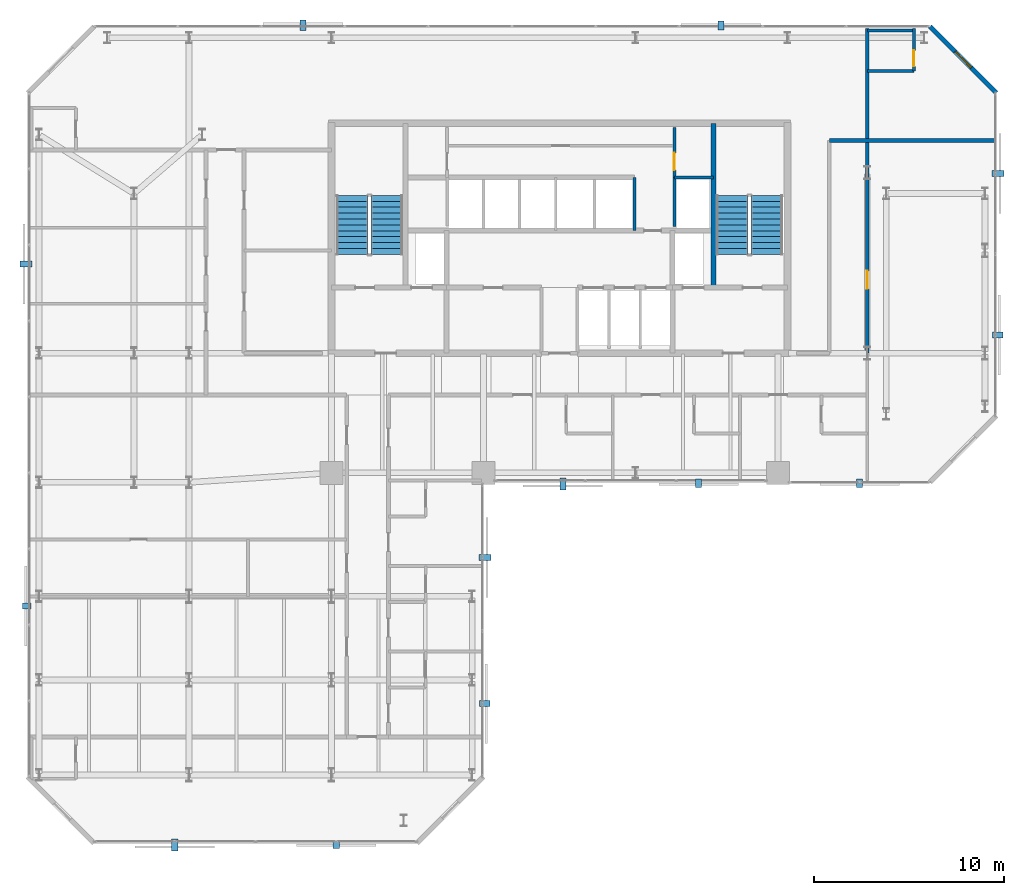
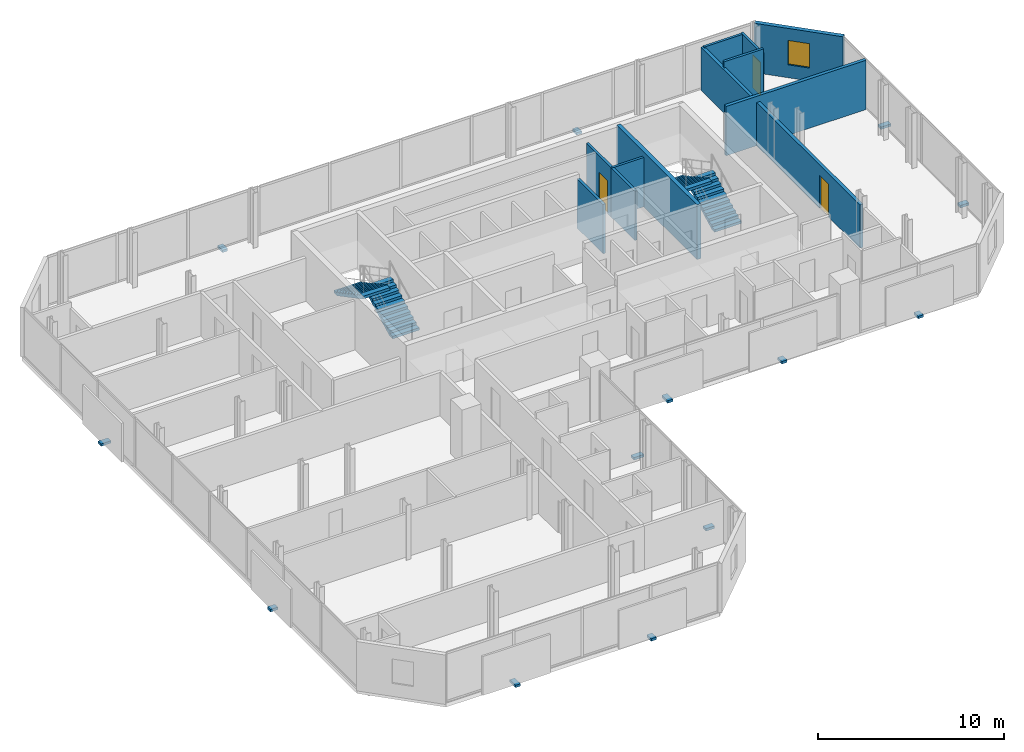
# One storey, part 30 of 32: 13 discrete accessories, 11 walls, 4 stair flights, 3 doors, 1 window, 4 openings, 2 elements without a shape of their own.
"""IFC4 building model written with IfcOpenShell, lengths in metres."""

from ifc_helpers import new_model, si_unit, direction, frame, frame_2d, origin, origin_2d, place, context, subcontext, project, spatial, polyline, rectangle, outline, extrude, material, layer, layer_set, type_object, element, fill, aggregate, save


model = new_model("IFC4")

# Units and contexts
model_context = context("Model", 3, precision=1e-05, world=origin(), true_north=direction((0.0, 1.0)))
body_context = subcontext(model_context, "Body", "Model", "MODEL_VIEW")
ifc_project = project(units=[si_unit("LENGTHUNIT", "METRE"), si_unit("AREAUNIT", "SQUARE_METRE"), si_unit("VOLUMEUNIT", "CUBIC_METRE"), si_unit("PLANEANGLEUNIT", "RADIAN"), si_unit("MASSUNIT", "GRAM", prefix="KILO")], contexts=[model_context])

# Site, building, storey
site_placement = place(None, origin())
site = spatial("IfcSite", under=ifc_project, at=site_placement, CompositionType="ELEMENT")
building_placement = place(site_placement, origin())
building = spatial("IfcBuilding", under=site, at=building_placement, Name="Catumbela Crestline Tower", CompositionType="ELEMENT")
storey_placement = place(building_placement, frame((0.0, 0.0, 140.4)))
storey = spatial("IfcBuildingStorey", under=building, at=storey_placement, Name="L36", CompositionType="ELEMENT", Elevation=140.4)

# Walls
ifc_material_1 = material(Name="Concrete C50/60", Category="concrete")
ifc_layer_1 = layer(ifc_material_1, 0.25, Name="Concrete C50/60")
ifc_layer_set_1 = layer_set([ifc_layer_1], Name="Concrete C50/60")
wall_type_1 = type_object("IfcWallType", Name="CW-250D", PredefinedType="SHEAR", material=ifc_layer_set_1)
wall_1_placement = place(storey_placement, frame((36.1, 34.25, 0.0), z_axis=(0.0, 0.0, 1.0), x_axis=(0.0, 1.0, 0.0)))
element("IfcWall", 1, at=wall_1_placement, inside=storey, type_object=wall_type_1, Name="L36 Structural Core Shear Wall EWEB", PredefinedType="SHEAR", context=body_context, shape_type="SweptSolid", body=[
    extrude(rectangle(XDim=8.65, YDim=0.25, at=frame_2d((4.325, 0.0))), origin(), (0.0, 0.0, 1.0), 3.6),
])
ifc_material_2 = material(Name="Acoustic gypsum and mineral-wool partition")
ifc_layer_2 = layer(ifc_material_2, 0.2, Name="Acoustic gypsum and mineral-wool partition")
ifc_layer_set_2 = layer_set([ifc_layer_2], Name="Acoustic gypsum and mineral-wool partition")
wall_type_2 = type_object("IfcWallType", Name="WC-200", PredefinedType="PARTITIONING", material=ifc_layer_set_2)
wall_2_placement = place(storey_placement, frame((42.2, 42.0, 0.0), z_axis=(0.0, 0.0, 1.0), x_axis=(1.0, 0.0, 0.0)))
element("IfcWall", 2, at=wall_2_placement, inside=storey, type_object=wall_type_2, Name="L36 Interior Partition PW-L36-Z2CW-E3", PredefinedType="PARTITIONING", context=body_context, shape_type="SweptSolid", body=[
    extrude(rectangle(XDim=8.7, YDim=0.2, at=frame_2d((4.35, 0.0))), origin(), (0.0, 0.0, 1.0), 3.24),
])

# Wall, opening, door
wall_3_placement = place(storey_placement, frame((44.2, 30.8, 0.0), z_axis=(0.0, 0.0, 1.0), x_axis=(0.0, 1.0, 0.0)))
wall_3 = element("IfcWall", 3, at=wall_3_placement, inside=storey, type_object=wall_type_2, Name="L36 Interior Partition PW-L36-SE1-ENT", PredefinedType="PARTITIONING", context=body_context, shape_type="SweptSolid", body=[
    extrude(rectangle(XDim=17.1, YDim=0.2, at=frame_2d((8.55, 0.0))), origin(), (0.0, 0.0, 1.0), 2.84),
])
opening_1_placement = place(wall_3_placement, frame((3.3825, 0.0, 0.0)))
opening_1 = element("IfcOpeningElement", 4, at=opening_1_placement, cuts=wall_3, Name="Opening DF6-095", PredefinedType="OPENING", context=body_context, shape_type="SweptSolid", body=[
    extrude(rectangle(XDim=0.95, YDim=2.15, at=frame_2d((0.475, 1.075))), frame((0.0, 0.11, 0.0), z_axis=(0.0, -1.0, 0.0), x_axis=(1.0, 0.0, 0.0)), (0.0, 0.0, 1.0), 0.22),
])
ifc_material_3 = material(Name="Aluminium alloy AW-6060-T66", Category="aluminium")
door_type_1 = type_object("IfcDoorType", Name="DF6-095", OperationType="NOTDEFINED", PredefinedType="DOOR", material=ifc_material_3)
door_1_placement = place(opening_1_placement, origin())
door_1 = element("IfcDoor", 5, at=door_1_placement, inside=storey, type_object=door_type_1, Name="L36 Interior Door DR-L36-SE1-ENT", OperationType="SINGLE_SWING_RIGHT", OverallHeight=2.15, OverallWidth=0.95, PredefinedType="DOOR", context=body_context, shape_type="SweptSolid", body=[
    extrude(rectangle(XDim=0.95, YDim=2.15, at=frame_2d((0.475, 1.075))), frame((0.0, 0.025, 0.0), z_axis=(0.0, -1.0, 0.0), x_axis=(1.0, 0.0, 0.0)), (0.0, 0.0, 1.0), 0.05),
])
fill(opening_1, door_1)

# Wall, opening, window
ifc_material_4 = material(Name="Angolan grey-ochre granite", Category="masonry")
ifc_layer_3 = layer(ifc_material_4, 0.25, Name="Angolan grey-ochre granite")
ifc_layer_set_3 = layer_set([ifc_layer_3], Name="Angolan grey-ochre granite")
wall_type_3 = type_object("IfcWallType", Name="WE-250", PredefinedType="STANDARD", material=ifc_layer_set_3)
wall_4_placement = place(storey_placement, frame((51.0, 44.5, 0.0), z_axis=(0.0, 0.0, 1.0), x_axis=(-0.707106781187, 0.707106781187, 0.0)))
wall_4 = element("IfcWall", 6, at=wall_4_placement, inside=storey, type_object=wall_type_3, Name="L36 Granite Punched Window Wall 6-1", PredefinedType="STANDARD", context=body_context, shape_type="SweptSolid", body=[
    extrude(rectangle(XDim=4.9497, YDim=0.25, at=frame_2d((2.4748, 0.0))), origin(), (0.0, 0.0, 1.0), 3.24),
])
opening_2_placement = place(wall_4_placement, frame((1.8748, 0.0, 0.85)))
opening_2 = element("IfcOpeningElement", 7, at=opening_2_placement, cuts=wall_4, Name="Opening WN-02", PredefinedType="OPENING", context=body_context, shape_type="SweptSolid", body=[
    extrude(rectangle(XDim=1.2, YDim=1.6, at=frame_2d((0.6, 0.8))), frame((0.0, 0.135, 0.0), z_axis=(0.0, -1.0, 0.0), x_axis=(1.0, 0.0, 0.0)), (0.0, 0.0, 1.0), 0.27),
])
ifc_material_5 = material(Name="Low-E laminated solar-control double glazing", Category="glass")
window_type = type_object("IfcWindowType", Name="WO-1200", PartitioningType="SINGLE_PANEL", PredefinedType="WINDOW", material=ifc_material_5)
window_placement = place(opening_2_placement, origin())
window = element("IfcWindow", 8, at=window_placement, inside=storey, type_object=window_type, Name="L36 Facade Vision Window 202", OverallHeight=1.6, OverallWidth=1.2, PartitioningType="SINGLE_PANEL", PredefinedType="WINDOW", context=body_context, shape_type="SweptSolid", body=[
    extrude(rectangle(XDim=1.2, YDim=1.6, at=frame_2d((0.6, 0.8))), frame((0.0, 0.03, 0.0), z_axis=(0.0, -1.0, 0.0), x_axis=(1.0, 0.0, 0.0)), (0.0, 0.0, 1.0), 0.06),
])
fill(opening_2, window)

# Wall
ifc_layer_4 = layer(ifc_material_2, 0.15, Name="Acoustic gypsum and mineral-wool partition")
ifc_layer_set_4 = layer_set([ifc_layer_4], Name="Acoustic gypsum and mineral-wool partition")
wall_type_4 = type_object("IfcWallType", Name="WP-150", PredefinedType="PARTITIONING", material=ifc_layer_set_4)
wall_5_placement = place(storey_placement, frame((34.05, 40.05, 0.0), z_axis=(0.0, 0.0, 1.0), x_axis=(1.0, 0.0, 0.0)))
element("IfcWall", 9, at=wall_5_placement, inside=storey, type_object=wall_type_4, Name="L36 Interior Partition PW-L36-CR-ES", PredefinedType="PARTITIONING", context=body_context, shape_type="SweptSolid", body=[
    extrude(rectangle(XDim=2.05, YDim=0.15, at=frame_2d((1.025, 0.0))), origin(), (0.0, 0.0, 1.0), 3.24),
])

# Wall, opening, door
wall_6_placement = place(storey_placement, frame((34.05, 40.05, 0.0), z_axis=(0.0, 0.0, 1.0), x_axis=(0.0, 1.0, 0.0)))
wall_6 = element("IfcWall", 10, at=wall_6_placement, inside=storey, type_object=wall_type_4, Name="L36 Interior Partition PW-L36-CR-EW", PredefinedType="PARTITIONING", context=body_context, shape_type="SweptSolid", body=[
    extrude(rectangle(XDim=2.63, YDim=0.15, at=frame_2d((1.315, 0.0))), origin(), (0.0, 0.0, 1.0), 3.24),
])
opening_3_placement = place(wall_6_placement, frame((0.385, 0.0, 0.0)))
opening_3 = element("IfcOpeningElement", 11, at=opening_3_placement, cuts=wall_6, Name="Opening DF9-090", PredefinedType="OPENING", context=body_context, shape_type="SweptSolid", body=[
    extrude(rectangle(XDim=0.9, YDim=2.15, at=frame_2d((0.45, 1.075))), frame((0.0, 0.085, 0.0), z_axis=(0.0, -1.0, 0.0), x_axis=(1.0, 0.0, 0.0)), (0.0, 0.0, 1.0), 0.17),
])
ifc_material_6 = material(Name="Stainless steel EN 1.4401", Category="steel")
door_type_2 = type_object("IfcDoorType", Name="DF9-090", OperationType="NOTDEFINED", PredefinedType="DOOR", material=ifc_material_6)
door_2_placement = place(opening_3_placement, origin())
door_2 = element("IfcDoor", 12, at=door_2_placement, inside=storey, type_object=door_type_2, Name="L36 Interior Door DR-L36-CREAST", OperationType="SINGLE_SWING_RIGHT", OverallHeight=2.15, OverallWidth=0.9, PredefinedType="DOOR", context=body_context, shape_type="SweptSolid", body=[
    extrude(rectangle(XDim=0.9, YDim=2.15, at=frame_2d((0.45, 1.075))), frame((0.0, 0.025, 0.0), z_axis=(0.0, -1.0, 0.0), x_axis=(1.0, 0.0, 0.0)), (0.0, 0.0, 1.0), 0.05),
])
fill(opening_3, door_2)

# Wall
wall_7_placement = place(storey_placement, frame((44.2, 45.65, 0.0), z_axis=(0.0, 0.0, 1.0), x_axis=(1.0, 0.0, 0.0)))
element("IfcWall", 13, at=wall_7_placement, inside=storey, type_object=wall_type_4, Name="L36 Interior Partition PW-L36-SE1-BSW", PredefinedType="PARTITIONING", context=body_context, shape_type="SweptSolid", body=[
    extrude(rectangle(XDim=2.45, YDim=0.15, at=frame_2d((1.225, 0.0))), origin(), (0.0, 0.0, 1.0), 3.24),
])

# Wall, opening, door
wall_8_placement = place(storey_placement, frame((46.65, 45.65, 0.0), z_axis=(0.0, 0.0, 1.0), x_axis=(0.0, 1.0, 0.0)))
wall_8 = element("IfcWall", 14, at=wall_8_placement, inside=storey, type_object=wall_type_4, Name="L36 Interior Partition PW-L36-SE1-BEW", PredefinedType="PARTITIONING", context=body_context, shape_type="SweptSolid", body=[
    extrude(rectangle(XDim=2.25, YDim=0.15, at=frame_2d((1.125, 0.0))), origin(), (0.0, 0.0, 1.0), 2.92),
])
opening_4_placement = place(wall_8_placement, frame((0.24, 0.0, 0.0)))
opening_4 = element("IfcOpeningElement", 15, at=opening_4_placement, cuts=wall_8, Name="Opening DI-085", PredefinedType="OPENING", context=body_context, shape_type="SweptSolid", body=[
    extrude(rectangle(XDim=0.85, YDim=2.15, at=frame_2d((0.425, 1.075))), frame((0.0, 0.085, 0.0), z_axis=(0.0, -1.0, 0.0), x_axis=(1.0, 0.0, 0.0)), (0.0, 0.0, 1.0), 0.17),
])
door_type_3 = type_object("IfcDoorType", Name="DI-085", OperationType="NOTDEFINED", PredefinedType="DOOR", material=ifc_material_3)
door_3_placement = place(opening_4_placement, origin())
door_3 = element("IfcDoor", 16, at=door_3_placement, inside=storey, type_object=door_type_3, Name="L36 Interior Door DR-L36-SE1-BTH", OperationType="SINGLE_SWING_LEFT", OverallHeight=2.15, OverallWidth=0.85, PredefinedType="DOOR", context=body_context, shape_type="SweptSolid", body=[
    extrude(rectangle(XDim=0.85, YDim=2.15, at=frame_2d((0.425, 1.075))), frame((0.0, 0.025, 0.0), z_axis=(0.0, -1.0, 0.0), x_axis=(1.0, 0.0, 0.0)), (0.0, 0.0, 1.0), 0.05),
])
fill(opening_4, door_3)

# Walls
wall_9_placement = place(storey_placement, frame((44.2, 47.78, 0.0), z_axis=(0.0, 0.0, 1.0), x_axis=(1.0, 0.0, 0.0)))
element("IfcWall", 17, at=wall_9_placement, inside=storey, type_object=wall_type_4, Name="L36 Interior Partition PW-L36-SE1-BCL-2", PredefinedType="PARTITIONING", context=body_context, shape_type="SweptSolid", body=[
    extrude(rectangle(XDim=2.45, YDim=0.15, at=frame_2d((1.225, 0.0))), origin(), (0.0, 0.0, 1.0), 2.92),
])
ifc_layer_5 = layer(ifc_material_2, 0.15, Name="Acoustic gypsum and mineral-wool partition")
ifc_layer_set_5 = layer_set([ifc_layer_5], Name="Acoustic gypsum and mineral-wool partition")
wall_type_5 = type_object("IfcWallType", Name="WS-150", PredefinedType="PLUMBINGWALL", material=ifc_layer_set_5)
wall_10_placement = place(storey_placement, frame((31.95, 37.25, 0.0), z_axis=(0.0, 0.0, 1.0), x_axis=(0.0, 1.0, 0.0)))
element("IfcWall", 18, at=wall_10_placement, inside=storey, type_object=wall_type_5, Name="L36 Interior Partition PW-L36-SHEX2E", PredefinedType="PLUMBINGWALL", context=body_context, shape_type="SweptSolid", body=[
    extrude(rectangle(XDim=2.8, YDim=0.15, at=frame_2d((1.4, 0.0))), origin(), (0.0, 0.0, 1.0), 3.24),
])
wall_11_placement = place(storey_placement, frame((34.05, 37.4734, 0.0), z_axis=(0.0, 0.0, 1.0), x_axis=(0.0, 1.0, 0.0)))
element("IfcWall", 19, at=wall_11_placement, inside=storey, type_object=wall_type_5, Name="L36 Interior Partition PW-L36-RISW", PredefinedType="PLUMBINGWALL", context=body_context, shape_type="SweptSolid", body=[
    extrude(rectangle(XDim=2.5766, YDim=0.15, at=frame_2d((1.2883, 0.0))), origin(), (0.0, 0.0, 1.0), 3.24),
])

# Stair, stair flights
ifc_material_7 = material(Name="Concrete C45/55", Category="concrete")
stair_type = type_object("IfcStairType", Name="ST-DLG", PredefinedType="HALF_TURN_STAIR", material=ifc_material_7)
stair_1_placement = place(storey_placement, origin())
stair_1 = element("IfcStair", 20, at=stair_1_placement, inside=storey, type_object=stair_type, Name="L36 West Core Pressurised Exit Stair ST-01", PredefinedType="HALF_TURN_STAIR")
stair_flight_type = type_object("IfcStairFlightType", Name="SF-1636", PredefinedType="STRAIGHT", material=ifc_material_7)
stair_flight_1_placement = place(storey_placement, frame((18.92, 36.0, 0.0), z_axis=(0.0, 0.0, 1.0), x_axis=(0.0, 1.0, 0.0)))
stair_flight_1 = element("IfcStairFlight", 21, at=stair_flight_1_placement, type_object=stair_flight_type, Name="ST-01 flight 1", NumberOfRisers=11, NumberOfTreads=10, PredefinedType="STRAIGHT", RiserHeight=0.163636364, TreadLength=0.31, context=body_context, shape_type="SweptSolid", body=[
    extrude(outline(polyline([(0.0, 0.0), (0.0, 0.1636), (0.31, 0.1636), (0.31, 0.3273), (0.62, 0.3273), (0.62, 0.4909), (0.93, 0.4909), (0.93, 0.6545), (1.24, 0.6545), (1.24, 0.8182), (1.55, 0.8182), (1.55, 0.9818), (1.86, 0.9818), (1.86, 1.1455), (2.17, 1.1455), (2.17, 1.3091), (2.48, 1.3091), (2.48, 1.4727), (2.79, 1.4727), (2.79, 1.6364), (3.1, 1.6364), (3.1, 1.8), (3.1, 1.4554), (0.3427, 0.0), (0.0, 0.0)])), frame((0.0, 0.83, 0.0), z_axis=(0.0, -1.0, 0.0), x_axis=(1.0, 0.0, 0.0)), (0.0, 0.0, 1.0), 1.66),
])
stair_flight_2_placement = place(storey_placement, frame((17.08, 39.1, 1.8), z_axis=(0.0, 0.0, 1.0), x_axis=(0.0, -1.0, 0.0)))
stair_flight_2 = element("IfcStairFlight", 22, at=stair_flight_2_placement, type_object=stair_flight_type, Name="ST-01 flight 2", NumberOfRisers=11, NumberOfTreads=10, PredefinedType="STRAIGHT", RiserHeight=0.163636364, TreadLength=0.31, context=body_context, shape_type="SweptSolid", body=[
    extrude(outline(polyline([(0.0, 0.0), (0.0, 0.1636), (0.31, 0.1636), (0.31, 0.3273), (0.62, 0.3273), (0.62, 0.4909), (0.93, 0.4909), (0.93, 0.6545), (1.24, 0.6545), (1.24, 0.8182), (1.55, 0.8182), (1.55, 0.9818), (1.86, 0.9818), (1.86, 1.1455), (2.17, 1.1455), (2.17, 1.3091), (2.48, 1.3091), (2.48, 1.4727), (2.79, 1.4727), (2.79, 1.6364), (3.1, 1.6364), (3.1, 1.8), (3.1, 1.4554), (0.3427, 0.0), (0.0, 0.0)])), frame((0.0, 0.83, 0.0), z_axis=(0.0, -1.0, 0.0), x_axis=(1.0, 0.0, 0.0)), (0.0, 0.0, 1.0), 1.66),
])
aggregate(stair_1, [stair_flight_1, stair_flight_2])

stair_2_placement = place(storey_placement, origin())
stair_2 = element("IfcStair", 23, at=stair_2_placement, inside=storey, type_object=stair_type, Name="L36 East Core Pressurised Exit Stair ST-02", PredefinedType="HALF_TURN_STAIR")
stair_flight_3_placement = place(storey_placement, frame((38.92, 36.0, 0.0), z_axis=(0.0, 0.0, 1.0), x_axis=(0.0, 1.0, 0.0)))
stair_flight_3 = element("IfcStairFlight", 24, at=stair_flight_3_placement, type_object=stair_flight_type, Name="ST-02 flight 1", NumberOfRisers=11, NumberOfTreads=10, PredefinedType="STRAIGHT", RiserHeight=0.163636364, TreadLength=0.31, context=body_context, shape_type="SweptSolid", body=[
    extrude(outline(polyline([(0.0, 0.0), (0.0, 0.1636), (0.31, 0.1636), (0.31, 0.3273), (0.62, 0.3273), (0.62, 0.4909), (0.93, 0.4909), (0.93, 0.6545), (1.24, 0.6545), (1.24, 0.8182), (1.55, 0.8182), (1.55, 0.9818), (1.86, 0.9818), (1.86, 1.1455), (2.17, 1.1455), (2.17, 1.3091), (2.48, 1.3091), (2.48, 1.4727), (2.79, 1.4727), (2.79, 1.6364), (3.1, 1.6364), (3.1, 1.8), (3.1, 1.4554), (0.3427, 0.0), (0.0, 0.0)])), frame((0.0, 0.83, 0.0), z_axis=(0.0, -1.0, 0.0), x_axis=(1.0, 0.0, 0.0)), (0.0, 0.0, 1.0), 1.66),
])
stair_flight_4_placement = place(storey_placement, frame((37.08, 39.1, 1.8), z_axis=(0.0, 0.0, 1.0), x_axis=(0.0, -1.0, 0.0)))
stair_flight_4 = element("IfcStairFlight", 25, at=stair_flight_4_placement, type_object=stair_flight_type, Name="ST-02 flight 2", NumberOfRisers=11, NumberOfTreads=10, PredefinedType="STRAIGHT", RiserHeight=0.163636364, TreadLength=0.31, context=body_context, shape_type="SweptSolid", body=[
    extrude(outline(polyline([(0.0, 0.0), (0.0, 0.1636), (0.31, 0.1636), (0.31, 0.3273), (0.62, 0.3273), (0.62, 0.4909), (0.93, 0.4909), (0.93, 0.6545), (1.24, 0.6545), (1.24, 0.8182), (1.55, 0.8182), (1.55, 0.9818), (1.86, 0.9818), (1.86, 1.1455), (2.17, 1.1455), (2.17, 1.3091), (2.48, 1.3091), (2.48, 1.4727), (2.79, 1.4727), (2.79, 1.6364), (3.1, 1.6364), (3.1, 1.8), (3.1, 1.4554), (0.3427, 0.0), (0.0, 0.0)])), frame((0.0, 0.83, 0.0), z_axis=(0.0, -1.0, 0.0), x_axis=(1.0, 0.0, 0.0)), (0.0, 0.0, 1.0), 1.66),
])
aggregate(stair_2, [stair_flight_3, stair_flight_4])

# Discrete accessories
discrete_accessory_type = type_object("IfcDiscreteAccessoryType", Name="BK-SS1", PredefinedType="BRACKET", material=ifc_material_6)
discrete_accessory_1_placement = place(storey_placement, frame((7.75, 4.915, -0.18), z_axis=(0.0, 0.0, 1.0), x_axis=(1.0, 0.0, 0.0)))
element("IfcDiscreteAccessory", 26, at=discrete_accessory_1_placement, inside=storey, type_object=discrete_accessory_type, Name="L36 Solar Screen Stainless Bracket 393", PredefinedType="BRACKET", context=body_context, shape_type="SweptSolid", body=[
    extrude(rectangle(XDim=0.32, YDim=0.62, at=origin_2d()), origin(), (0.0, 0.0, 1.0), 0.16),
])
discrete_accessory_2_placement = place(storey_placement, frame((16.25, 4.955, -0.18), z_axis=(0.0, 0.0, 1.0), x_axis=(1.0, 0.0, 0.0)))
element("IfcDiscreteAccessory", 27, at=discrete_accessory_2_placement, inside=storey, type_object=discrete_accessory_type, Name="L36 Solar Screen Stainless Bracket 394", PredefinedType="BRACKET", context=body_context, shape_type="SweptSolid", body=[
    extrude(rectangle(XDim=0.32, YDim=0.46, at=origin_2d()), origin(), (0.0, 0.0, 1.0), 0.16),
])
discrete_accessory_3_placement = place(storey_placement, frame((24.065, 12.35, -0.18), z_axis=(0.0, 0.0, 1.0), x_axis=(0.0, 1.0, 0.0)))
element("IfcDiscreteAccessory", 28, at=discrete_accessory_3_placement, inside=storey, type_object=discrete_accessory_type, Name="L36 Solar Screen Stainless Bracket 395", PredefinedType="BRACKET", context=body_context, shape_type="SweptSolid", body=[
    extrude(rectangle(XDim=0.32, YDim=0.54, at=origin_2d()), origin(), (0.0, 0.0, 1.0), 0.16),
])
for number, where, z_axis, x_axis, name in (
    (29, (24.085, 20.05, -0.18), (0.0, 0.0, 1.0), (0.0, 1.0, 0.0), "L36 Solar Screen Stainless Bracket 396"),
    (30, (28.175, 23.915, -0.18), (0.0, 0.0, 1.0), (1.0, 0.0, 0.0), "L36 Solar Screen Stainless Bracket 397"),
):
    element("IfcDiscreteAccessory", number, at=place(storey_placement, frame(where, z_axis=z_axis, x_axis=x_axis)), inside=storey, type_object=discrete_accessory_type, Name=name, PredefinedType="BRACKET", context=body_context, shape_type="SweptSolid", body=[
        extrude(rectangle(XDim=0.32, YDim=0.62, at=origin_2d()), origin(), (0.0, 0.0, 1.0), 0.16),
    ])
for number, where, z_axis, x_axis, name in (
    (31, (35.325, 23.955, -0.18), (0.0, 0.0, 1.0), (1.0, 0.0, 0.0), "L36 Solar Screen Stainless Bracket 398"),
    (32, (43.8, 23.955, -0.18), (0.0, 0.0, 1.0), (1.0, 0.0, 0.0), "L36 Solar Screen Stainless Bracket 399"),
):
    element("IfcDiscreteAccessory", number, at=place(storey_placement, frame(where, z_axis=z_axis, x_axis=x_axis)), inside=storey, type_object=discrete_accessory_type, Name=name, PredefinedType="BRACKET", context=body_context, shape_type="SweptSolid", body=[
        extrude(rectangle(XDim=0.32, YDim=0.46, at=origin_2d()), origin(), (0.0, 0.0, 1.0), 0.16),
    ])
discrete_accessory_4_placement = place(storey_placement, frame((51.065, 31.75, -0.18), z_axis=(0.0, 0.0, 1.0), x_axis=(0.0, 1.0, 0.0)))
element("IfcDiscreteAccessory", 33, at=discrete_accessory_4_placement, inside=storey, type_object=discrete_accessory_type, Name="L36 Solar Screen Stainless Bracket 400", PredefinedType="BRACKET", context=body_context, shape_type="SweptSolid", body=[
    extrude(rectangle(XDim=0.32, YDim=0.54, at=origin_2d()), origin(), (0.0, 0.0, 1.0), 0.16),
])
discrete_accessory_5_placement = place(storey_placement, frame((51.085, 40.25, -0.18), z_axis=(0.0, 0.0, 1.0), x_axis=(0.0, 1.0, 0.0)))
element("IfcDiscreteAccessory", 34, at=discrete_accessory_5_placement, inside=storey, type_object=discrete_accessory_type, Name="L36 Solar Screen Stainless Bracket 401", PredefinedType="BRACKET", context=body_context, shape_type="SweptSolid", body=[
    extrude(rectangle(XDim=0.32, YDim=0.62, at=origin_2d()), origin(), (0.0, 0.0, 1.0), 0.16),
])
discrete_accessory_6_placement = place(storey_placement, frame((36.5, 48.045, -0.18), z_axis=(0.0, 0.0, 1.0), x_axis=(-1.0, 0.0, 0.0)))
element("IfcDiscreteAccessory", 35, at=discrete_accessory_6_placement, inside=storey, type_object=discrete_accessory_type, Name="L36 Solar Screen Stainless Bracket 402", PredefinedType="BRACKET", context=body_context, shape_type="SweptSolid", body=[
    extrude(rectangle(XDim=0.32, YDim=0.46, at=origin_2d()), origin(), (0.0, 0.0, 1.0), 0.16),
])
discrete_accessory_7_placement = place(storey_placement, frame((14.5, 48.065, -0.18), z_axis=(0.0, 0.0, 1.0), x_axis=(-1.0, 0.0, 0.0)))
element("IfcDiscreteAccessory", 36, at=discrete_accessory_7_placement, inside=storey, type_object=discrete_accessory_type, Name="L36 Solar Screen Stainless Bracket 403", PredefinedType="BRACKET", context=body_context, shape_type="SweptSolid", body=[
    extrude(rectangle(XDim=0.32, YDim=0.54, at=origin_2d()), origin(), (0.0, 0.0, 1.0), 0.16),
])
discrete_accessory_8_placement = place(storey_placement, frame((-0.085, 35.5, -0.18), z_axis=(0.0, 0.0, 1.0), x_axis=(0.0, -1.0, 0.0)))
element("IfcDiscreteAccessory", 37, at=discrete_accessory_8_placement, inside=storey, type_object=discrete_accessory_type, Name="L36 Solar Screen Stainless Bracket 404", PredefinedType="BRACKET", context=body_context, shape_type="SweptSolid", body=[
    extrude(rectangle(XDim=0.32, YDim=0.62, at=origin_2d()), origin(), (0.0, 0.0, 1.0), 0.16),
])
discrete_accessory_9_placement = place(storey_placement, frame((-0.045, 17.5, -0.18), z_axis=(0.0, 0.0, 1.0), x_axis=(0.0, -1.0, 0.0)))
element("IfcDiscreteAccessory", 38, at=discrete_accessory_9_placement, inside=storey, type_object=discrete_accessory_type, Name="L36 Solar Screen Stainless Bracket 405", PredefinedType="BRACKET", context=body_context, shape_type="SweptSolid", body=[
    extrude(rectangle(XDim=0.32, YDim=0.46, at=origin_2d()), origin(), (0.0, 0.0, 1.0), 0.16),
])

save(model, "model.ifc")
